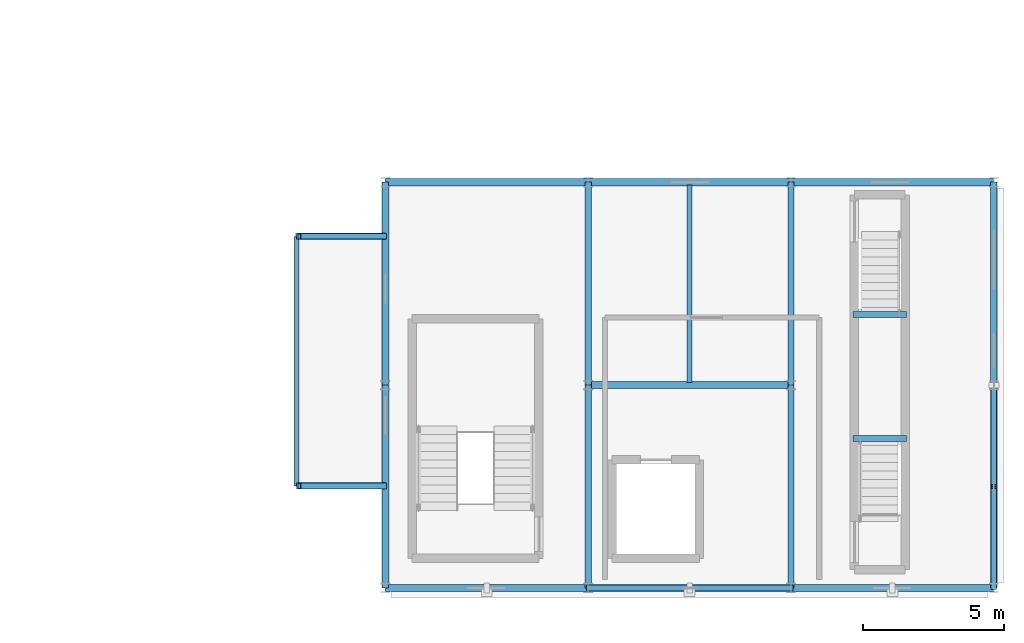
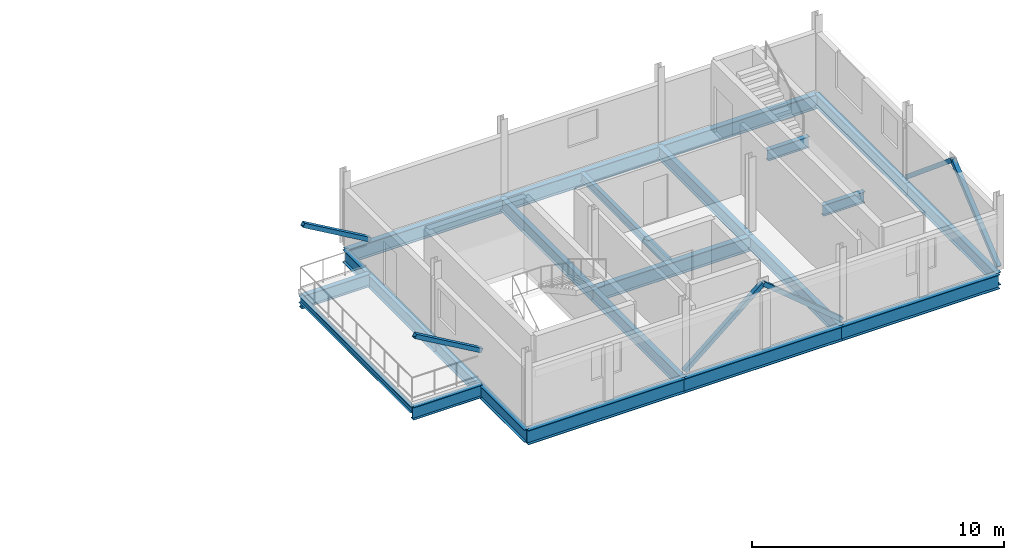
# One storey, part 41 of 96: 21 beams, 6 members.
"""IFC4 building model written with IfcOpenShell, lengths in metres."""

from ifc_helpers import new_model, si_unit, direction, frame, origin, origin_2d, place, context, subcontext, project, spatial, hollow_rectangle, i_section, extrude, material, material_profile, profile_set, type_object, element, save


model = new_model("IFC4")

# Units and contexts
model_context = context("Model", 3, precision=1e-05, world=origin(), true_north=direction((0.0, 1.0)))
body_context = subcontext(model_context, "Body", "Model", "MODEL_VIEW")
ifc_project = project(units=[si_unit("LENGTHUNIT", "METRE"), si_unit("AREAUNIT", "SQUARE_METRE"), si_unit("VOLUMEUNIT", "CUBIC_METRE"), si_unit("PLANEANGLEUNIT", "RADIAN"), si_unit("MASSUNIT", "GRAM", prefix="KILO")], contexts=[model_context])

# Site, building, storey
site_placement = place(None, origin())
site = spatial("IfcSite", under=ifc_project, at=site_placement, CompositionType="ELEMENT")
building_placement = place(site_placement, origin())
building = spatial("IfcBuilding", under=site, at=building_placement, Name="Yarey Park Central Fire Station", CompositionType="ELEMENT")
storey_placement = place(building_placement, frame((0.0, 0.0, 14.39990234375)))
storey = spatial("IfcBuildingStorey", under=building, at=storey_placement, Name="L04", CompositionType="ELEMENT", Elevation=14.39990234375)

# Beams
ifc_material_1 = material(Name="Steel ASTM A992 Gr. 50", Category="steel")
ifc_material_profile_1 = material_profile(ifc_material_1, i_section(OverallWidth=0.208984375, OverallDepth=0.532958984375, WebThickness=0.01025390625, FlangeThickness=0.015625, at=origin_2d()), Name="W530x92")
ifc_profile_set_1 = profile_set([ifc_material_profile_1], Name="Steel ASTM A992 Gr. 50")
beam_type_1 = type_object("IfcBeamType", Name="STR_BM_W530", PredefinedType="BEAM", material=ifc_profile_set_1)
for number, where, z_axis, x_axis, name in (
    (1, (160.60009765625, 5.300048828125, 1.3486328125), (1.0, 0.0, 0.0), (0.0, 1.0, 0.0), "BM_LND_C6_L04_S"),
    (2, (160.60009765625, 9.699951171875, 1.3486328125), (1.0, 0.0, 0.0), (0.0, 1.0, 0.0), "BM_LND_C6_L04_N"),
):
    element("IfcBeam", number, at=place(storey_placement, frame(where, z_axis=z_axis, x_axis=x_axis)), inside=storey, type_object=beam_type_1, Name=name, PredefinedType="BEAM", context=body_context, shape_type="SweptSolid", body=[
        extrude(i_section(OverallWidth=0.208984375, OverallDepth=0.532958984375, WebThickness=0.01025390625, FlangeThickness=0.015625, at=origin_2d()), origin(), (0.0, 0.0, 1.0), 1.89990234375),
    ])
ifc_material_profile_2 = material_profile(ifc_material_1, i_section(OverallWidth=0.22900390625, OverallDepth=0.612060546875, WebThickness=0.011962890625, FlangeThickness=0.01953125, at=origin_2d()), Name="W610x125")
ifc_profile_set_2 = profile_set([ifc_material_profile_2], Name="Steel ASTM A992 Gr. 50")
beam_type_2 = type_object("IfcBeamType", Name="STR_BM_W610", PredefinedType="BEAM", material=ifc_profile_set_2)
for number, where, z_axis, x_axis, name in (
    (3, (144.0, 0.0, -0.555908203125), (0.0, 1.0, 0.0), (-1.0, 0.0, 0.0), "BMY L04 X1440 Y0"),
    (4, (144.0, 7.199951171875, -0.555908203125), (0.0, 1.0, 0.0), (-1.0, 0.0, 0.0), "BMY L04 X1440 Y72"),
    (5, (151.199951171875, 0.0, -0.555908203125), (0.0, 1.0, 0.0), (-1.0, 0.0, 0.0), "BMY L04 X1512 Y0"),
    (6, (151.199951171875, 7.199951171875, -0.555908203125), (0.0, 1.0, 0.0), (-1.0, 0.0, 0.0), "BMY L04 X1512 Y72"),
    (7, (158.39990234375, 0.0, -0.555908203125), (0.0, 1.0, 0.0), (-1.0, 0.0, 0.0), "BMY L04 X1584 Y0"),
    (8, (158.39990234375, 7.199951171875, -0.555908203125), (0.0, 1.0, 0.0), (-1.0, 0.0, 0.0), "BMY L04 X1584 Y72"),
    (9, (165.60009765625, 0.0, -0.555908203125), (0.0, 1.0, 0.0), (-1.0, 0.0, 0.0), "BMY L04 X1656 Y0"),
    (10, (165.60009765625, 7.199951171875, -0.555908203125), (0.0, 1.0, 0.0), (-1.0, 0.0, 0.0), "BMY L04 X1656 Y72"),
):
    element("IfcBeam", number, at=place(storey_placement, frame(where, z_axis=z_axis, x_axis=x_axis)), inside=storey, type_object=beam_type_2, Name=name, PredefinedType="BEAM", context=body_context, shape_type="SweptSolid", body=[
        extrude(i_section(OverallWidth=0.22900390625, OverallDepth=0.612060546875, WebThickness=0.011962890625, FlangeThickness=0.01953125, at=origin_2d()), origin(), (0.0, 0.0, 1.0), 7.199951171875),
    ])
ifc_material_profile_3 = material_profile(ifc_material_1, i_section(OverallWidth=0.22900390625, OverallDepth=0.612060546875, WebThickness=0.011962890625, FlangeThickness=0.01953125, at=origin_2d()), Name="W610x125")
ifc_profile_set_3 = profile_set([ifc_material_profile_3], Name="Steel ASTM A992 Gr. 50")
beam_type_3 = type_object("IfcBeamType", Name="STR_BM_W610E", PredefinedType="BEAM", material=ifc_profile_set_3)
for number, where, z_axis, x_axis, name in (
    (11, (140.85009765625, 3.6201171875, -0.541015625), (1.0, 0.0, 0.0), (0.0, 1.0, 0.0), "BALC OUT L04 Y36"),
    (12, (140.85009765625, 12.47998046875, -0.541015625), (1.0, 0.0, 0.0), (0.0, 1.0, 0.0), "BALC OUT L04 Y124"),
):
    element("IfcBeam", number, at=place(storey_placement, frame(where, z_axis=z_axis, x_axis=x_axis)), inside=storey, type_object=beam_type_3, Name=name, PredefinedType="BEAM", context=body_context, shape_type="SweptSolid", body=[
        extrude(i_section(OverallWidth=0.22900390625, OverallDepth=0.612060546875, WebThickness=0.011962890625, FlangeThickness=0.01953125, at=origin_2d()), origin(), (0.0, 0.0, 1.0), 3.14990234375),
    ])
ifc_material_profile_4 = material_profile(ifc_material_1, i_section(OverallWidth=0.256103515625, OverallDepth=0.693115234375, WebThickness=0.014404296875, FlangeThickness=0.023681640625, at=origin_2d()), Name="W690x170")
ifc_profile_set_4 = profile_set([ifc_material_profile_4], Name="Steel ASTM A992 Gr. 50")
beam_type_4 = type_object("IfcBeamType", Name="STR_BM_W690", PredefinedType="BEAM", material=ifc_profile_set_4)
for number, where, z_axis, x_axis, name in (
    (13, (144.0, 0.0, -0.596435546875), (1.0, 0.0, 0.0), (0.0, 1.0, 0.0), "BMX L04 Y0 X1440"),
    (14, (151.199951171875, 0.0, -0.596435546875), (1.0, 0.0, 0.0), (0.0, 1.0, 0.0), "BMX L04 Y0 X1512"),
):
    element("IfcBeam", number, at=place(storey_placement, frame(where, z_axis=z_axis, x_axis=x_axis)), inside=storey, type_object=beam_type_4, Name=name, PredefinedType="BEAM", context=body_context, shape_type="SweptSolid", body=[
        extrude(i_section(OverallWidth=0.256103515625, OverallDepth=0.693115234375, WebThickness=0.014404296875, FlangeThickness=0.023681640625, at=origin_2d()), origin(), (0.0, 0.0, 1.0), 7.199951171875),
    ])
beam_1_placement = place(storey_placement, frame((158.39990234375, 0.0, -0.596435546875), z_axis=(1.0, 0.0, 0.0), x_axis=(0.0, 1.0, 0.0)))
element("IfcBeam", 15, at=beam_1_placement, inside=storey, type_object=beam_type_4, Name="BMX L04 Y0 X1584", PredefinedType="BEAM", context=body_context, shape_type="SweptSolid", body=[
    extrude(i_section(OverallWidth=0.256103515625, OverallDepth=0.693115234375, WebThickness=0.014404296875, FlangeThickness=0.023681640625, at=origin_2d()), origin(), (0.0, 0.0, 1.0), 7.2001953125),
])
for number, where, z_axis, x_axis, name in (
    (16, (151.199951171875, 7.199951171875, -0.596435546875), (1.0, 0.0, 0.0), (0.0, 1.0, 0.0), "BMX L04 Y72 X1512"),
    (17, (144.0, 14.39990234375, -0.596435546875), (1.0, 0.0, 0.0), (0.0, 1.0, 0.0), "BMX L04 Y144 X1440"),
    (18, (151.199951171875, 14.39990234375, -0.596435546875), (1.0, 0.0, 0.0), (0.0, 1.0, 0.0), "BMX L04 Y144 X1512"),
):
    element("IfcBeam", number, at=place(storey_placement, frame(where, z_axis=z_axis, x_axis=x_axis)), inside=storey, type_object=beam_type_4, Name=name, PredefinedType="BEAM", context=body_context, shape_type="SweptSolid", body=[
        extrude(i_section(OverallWidth=0.256103515625, OverallDepth=0.693115234375, WebThickness=0.014404296875, FlangeThickness=0.023681640625, at=origin_2d()), origin(), (0.0, 0.0, 1.0), 7.199951171875),
    ])
beam_2_placement = place(storey_placement, frame((158.39990234375, 14.39990234375, -0.596435546875), z_axis=(1.0, 0.0, 0.0), x_axis=(0.0, 1.0, 0.0)))
element("IfcBeam", 19, at=beam_2_placement, inside=storey, type_object=beam_type_4, Name="BMX L04 Y144 X1584", PredefinedType="BEAM", context=body_context, shape_type="SweptSolid", body=[
    extrude(i_section(OverallWidth=0.256103515625, OverallDepth=0.693115234375, WebThickness=0.014404296875, FlangeThickness=0.023681640625, at=origin_2d()), origin(), (0.0, 0.0, 1.0), 7.2001953125),
])

# Members
ifc_material_2 = material(Name="Steel ASTM A500 Gr. C", Category="steel")
ifc_material_profile_5 = material_profile(ifc_material_2, hollow_rectangle(XDim=0.199951171875, YDim=0.199951171875, WallThickness=0.010009765625, at=origin_2d()), Name="HSS 200x200x10")
ifc_profile_set_5 = profile_set([ifc_material_profile_5], Name="Steel ASTM A500 Gr. C")
member_type = type_object("IfcMemberType", Name="STR_CBF_HSS200", PredefinedType="BRACE", material=ifc_profile_set_5)
for number, where, z_axis, x_axis, name in (
    (20, (144.0, 3.6201171875, 1.400146484375), (-0.865540104115, 0.0, 0.500839623201), (0.0, -1.0, 0.0), "BALC_KNEE_L05_Y36"),
    (21, (144.0, 12.47998046875, 1.400146484375), (-0.865540104115, 0.0, 0.500839623201), (0.0, -1.0, 0.0), "BALC_KNEE_L05_Y124"),
):
    element("IfcMember", number, at=place(storey_placement, frame(where, z_axis=z_axis, x_axis=x_axis)), inside=storey, type_object=member_type, Name=name, PredefinedType="BRACE", context=body_context, shape_type="SweptSolid", body=[
        extrude(hollow_rectangle(XDim=0.199951171875, YDim=0.199951171875, WallThickness=0.010009765625, at=origin_2d()), origin(), (0.0, 0.0, 1.0), 3.52392578125),
    ])
member_1_placement = place(storey_placement, frame((165.60009765625, 0.0, 0.050048828125), z_axis=(0.0, 0.768229820104, 0.640174150918), x_axis=(-1.0, 0.0, 0.0)))
element("IfcMember", 22, at=member_1_placement, inside=storey, type_object=member_type, Name="CBF_DT_E1_L04", PredefinedType="BRACE", context=body_context, shape_type="SweptSolid", body=[
    extrude(hollow_rectangle(XDim=0.199951171875, YDim=0.199951171875, WallThickness=0.010009765625, at=origin_2d()), origin(), (0.0, 0.0, 1.0), 4.686279296875),
])
member_2_placement = place(storey_placement, frame((165.60009765625, 7.199951171875, 0.050048828125), z_axis=(0.0, -0.768208468069, 0.640199773186), x_axis=(1.0, 0.0, 0.0)))
element("IfcMember", 23, at=member_2_placement, inside=storey, type_object=member_type, Name="CBF_DT_E2_L04", PredefinedType="BRACE", context=body_context, shape_type="SweptSolid", body=[
    extrude(hollow_rectangle(XDim=0.199951171875, YDim=0.199951171875, WallThickness=0.010009765625, at=origin_2d()), origin(), (0.0, 0.0, 1.0), 4.68603515625),
])
member_3_placement = place(storey_placement, frame((151.199951171875, 0.0, 0.050048828125), z_axis=(0.768229820104, 0.0, 0.640174150918), x_axis=(0.0, 1.0, 0.0)))
element("IfcMember", 24, at=member_3_placement, inside=storey, type_object=member_type, Name="CBF_DT_S1_L04", PredefinedType="BRACE", context=body_context, shape_type="SweptSolid", body=[
    extrude(hollow_rectangle(XDim=0.199951171875, YDim=0.199951171875, WallThickness=0.010009765625, at=origin_2d()), origin(), (0.0, 0.0, 1.0), 4.686279296875),
])
member_4_placement = place(storey_placement, frame((158.39990234375, 0.0, 0.050048828125), z_axis=(-0.768208468069, 0.0, 0.640199773186), x_axis=(0.0, -1.0, 0.0)))
element("IfcMember", 25, at=member_4_placement, inside=storey, type_object=member_type, Name="CBF_DT_S2_L04", PredefinedType="BRACE", context=body_context, shape_type="SweptSolid", body=[
    extrude(hollow_rectangle(XDim=0.199951171875, YDim=0.199951171875, WallThickness=0.010009765625, at=origin_2d()), origin(), (0.0, 0.0, 1.0), 4.68603515625),
])

# Beams
ifc_material_profile_6 = material_profile(ifc_material_1, i_section(OverallWidth=0.177978515625, OverallDepth=0.406982421875, WebThickness=0.0078125, FlangeThickness=0.0126953125, at=origin_2d()), Name="W410x60")
ifc_profile_set_6 = profile_set([ifc_material_profile_6], Name="Steel ASTM A992 Gr. 50")
beam_type_5 = type_object("IfcBeamType", Name="STR_JST_W410", PredefinedType="JOIST", material=ifc_profile_set_6)
beam_3_placement = place(storey_placement, frame((154.800048828125, 7.294921875, -0.453369140625), z_axis=(0.0, 1.0, 0.0), x_axis=(-1.0, 0.0, 0.0)))
element("IfcBeam", 26, at=beam_3_placement, inside=storey, type_object=beam_type_5, Name="JST L04 X1548 Y72", PredefinedType="JOIST", context=body_context, shape_type="SweptSolid", body=[
    extrude(i_section(OverallWidth=0.177978515625, OverallDepth=0.406982421875, WebThickness=0.0078125, FlangeThickness=0.0126953125, at=origin_2d()), origin(), (0.0, 0.0, 1.0), 7.010009765625),
])
ifc_material_profile_7 = material_profile(ifc_material_1, i_section(OverallWidth=0.1650390625, OverallDepth=0.31005859375, WebThickness=0.005859375, FlangeThickness=0.009765625, at=origin_2d()), Name="W310x39")
ifc_profile_set_7 = profile_set([ifc_material_profile_7], Name="Steel ASTM A992 Gr. 50")
beam_type_6 = type_object("IfcBeamType", Name="STR_SPN_W310", PredefinedType="SPANDREL", material=ifc_profile_set_7)
beam_4_placement = place(storey_placement, frame((140.85009765625, 3.6201171875, -0.389892578125), z_axis=(0.0, 1.0, 0.0), x_axis=(-1.0, 0.0, 0.0)))
element("IfcBeam", 27, at=beam_4_placement, inside=storey, type_object=beam_type_6, Name="BALC EDG L04", PredefinedType="SPANDREL", context=body_context, shape_type="SweptSolid", body=[
    extrude(i_section(OverallWidth=0.1650390625, OverallDepth=0.31005859375, WebThickness=0.005859375, FlangeThickness=0.009765625, at=origin_2d()), origin(), (0.0, 0.0, 1.0), 8.85986328125),
])

save(model, "model.ifc")
